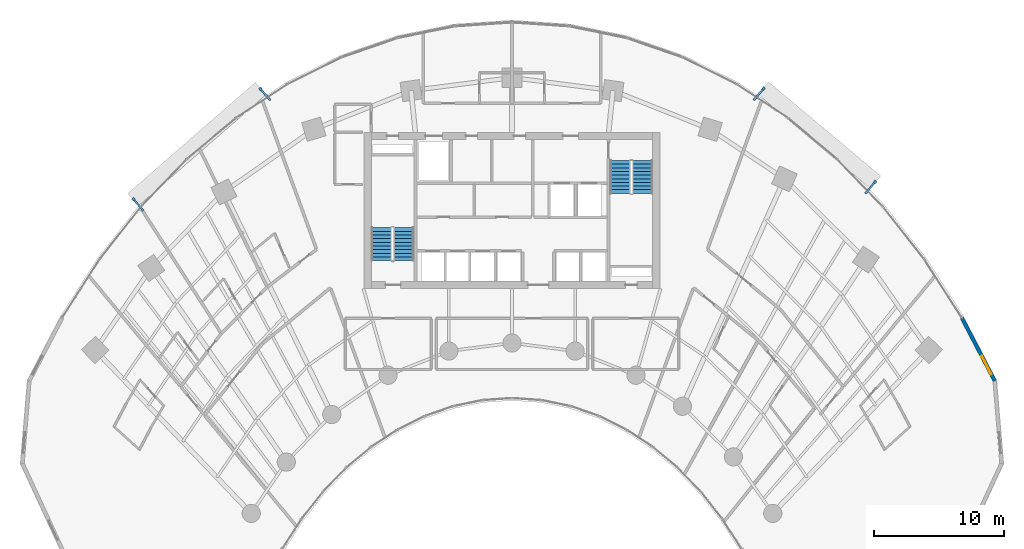
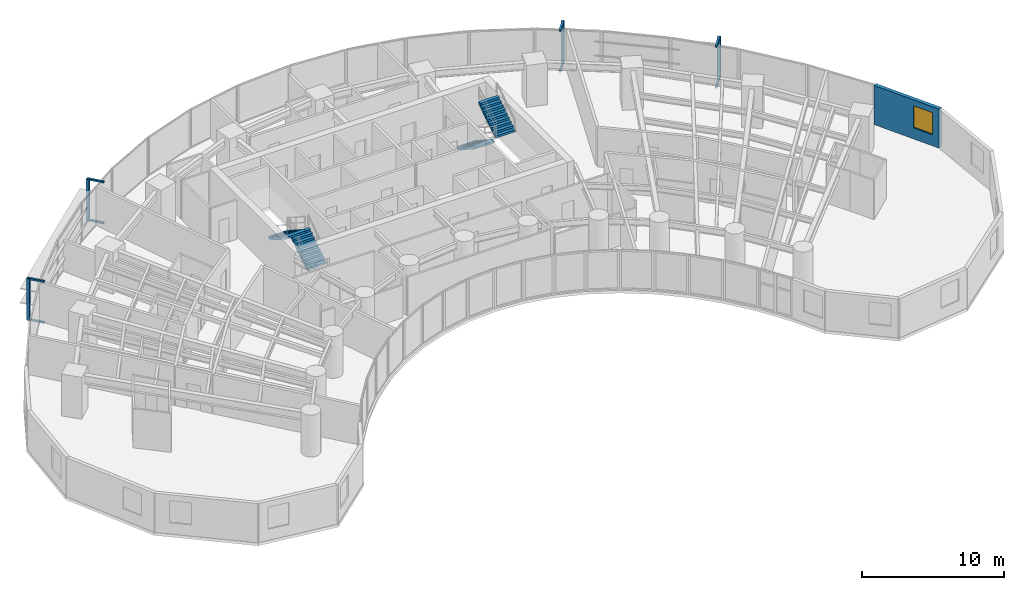
# One storey, part 15 of 17: 12 discrete accessories, 4 stair flights, 1 wall, 1 window, 1 opening, 2 elements without a shape of their own.
"""IFC4 building model written with IfcOpenShell, lengths in metres."""

from ifc_helpers import new_model, si_unit, direction, frame, frame_2d, origin, origin_2d, place, context, subcontext, project, spatial, polyline, rectangle, outline, extrude, source, transform, mapped, material, layer, layer_set, type_object, type_shapes, element, fill, aggregate, save


model = new_model("IFC4")

# Units and contexts
model_context = context("Model", 3, precision=1e-05, world=origin(), true_north=direction((0.0, 1.0)))
body_context = subcontext(model_context, "Body", "Model", "MODEL_VIEW")
ifc_project = project(units=[si_unit("LENGTHUNIT", "METRE"), si_unit("AREAUNIT", "SQUARE_METRE"), si_unit("VOLUMEUNIT", "CUBIC_METRE"), si_unit("PLANEANGLEUNIT", "RADIAN"), si_unit("MASSUNIT", "GRAM", prefix="KILO")], contexts=[model_context])

# Site, building, storey
site_placement = place(None, origin())
site = spatial("IfcSite", under=ifc_project, at=site_placement, CompositionType="ELEMENT")
building_placement = place(site_placement, origin())
building = spatial("IfcBuilding", under=site, at=building_placement, Name="Breltana Convention Tower", CompositionType="ELEMENT")
storey_placement = place(building_placement, frame((0.0, 0.0, 75.0)))
storey = spatial("IfcBuildingStorey", under=building, at=storey_placement, Name="L17", CompositionType="ELEMENT", Elevation=75.0)

# Wall, opening, window
ifc_material_1 = material(Name="Limestone Buff Insulated Wall", Category="masonry")
ifc_layer = layer(ifc_material_1, 0.280029296875, Name="Limestone Buff Insulated Wall")
ifc_layer_set = layer_set([ifc_layer], Name="Limestone Buff Insulated Wall")
wall_type = type_object("IfcWallType", Name="WL-EXT-NOSE-280", PredefinedType="SOLIDWALL", material=ifc_layer_set)
shared_shape_1 = source(origin(), body_context, "Body", "SweptSolid", [
    extrude(rectangle(XDim=5.45947265625, YDim=0.280029296875, at=frame_2d((2.729736328125, 0.0))), origin(), (0.0, 0.0, 1.0), 3.360107421875),
])
wall_placement = place(storey_placement, frame((82.531982421875, 57.964599609375, 0.0), z_axis=(0.0, 0.0, 1.0), x_axis=(0.461768054321, -0.887000712518, 0.0)))
wall = element("IfcWall", 1, at=wall_placement, inside=storey, type_object=wall_type, Name="L17 curved limestone nose wall E7", PredefinedType="SOLIDWALL", context=body_context, shape_type="MappedRepresentation", body=[
    mapped(shared_shape_1, transform((0.0, 0.0, 0.0), scale=1.0)),
])
opening_placement = place(wall_placement, frame((3.294677734375, 0.0, 0.949951171875)))
opening = element("IfcOpeningElement", 2, at=opening_placement, cuts=wall, Name="Opening W-04", PredefinedType="OPENING", context=body_context, shape_type="SweptSolid", body=[
    extrude(rectangle(XDim=1.60009765625, YDim=1.89990234375, at=frame_2d((0.800048828125, 0.949951171875))), frame((0.0, 0.14990234375, 0.0), z_axis=(0.0, -1.0, 0.0), x_axis=(1.0, 0.0, 0.0)), (0.0, 0.0, 1.0), 0.300048828125),
])
ifc_material_2 = material(Name="Glass Low-E Insulated Window", Category="glass")
window_type = type_object("IfcWindowType", Name="WN-NOSE-1600X1900", PartitioningType="SINGLE_PANEL", PredefinedType="WINDOW", material=ifc_material_2)
shared_shape_2 = source(origin(), body_context, "Body", "SweptSolid", [
    extrude(rectangle(XDim=1.60009765625, YDim=1.89990234375, at=frame_2d((0.800048828125, 0.949951171875))), frame((0.0, 0.030029296875, 0.0), z_axis=(0.0, -1.0, 0.0), x_axis=(1.0, 0.0, 0.0)), (0.0, 0.0, 1.0), 0.06005859375),
])
type_shapes(window_type, [shared_shape_2])
window_placement = place(opening_placement, origin())
window = element("IfcWindow", 3, at=window_placement, inside=storey, type_object=window_type, Name="L17 nose window E7", OverallHeight=1.89990234375, OverallWidth=1.60009765625, PartitioningType="SINGLE_PANEL", PredefinedType="WINDOW", context=body_context, shape_type="MappedRepresentation", body=[
    mapped(shared_shape_2, transform((0.0, 0.0, 0.0), scale=1.0)),
])
fill(opening, window)

# Stair, stair flights
ifc_material_3 = material(Name="Concrete C40/50", Category="concrete")
stair_type = type_object("IfcStairType", Name="ST-DOG-1560-R180", PredefinedType="HALF_TURN_STAIR", material=ifc_material_3)
stair_1_placement = place(storey_placement, origin())
stair_1 = element("IfcStair", 4, at=stair_1_placement, inside=storey, type_object=stair_type, Name="L17 Protected Core Exit Stair ST-1", PredefinedType="HALF_TURN_STAIR")
stair_flight_type = type_object("IfcStairFlightType", Name="STF-DOG-1560-N10-R180", PredefinedType="STRAIGHT", material=ifc_material_3)
stair_flight_1_placement = place(storey_placement, frame((39.68994140625, 62.360107421875, 0.0), z_axis=(0.0, 0.0, 1.0), x_axis=(0.0, 1.0, 0.0)))
stair_flight_1 = element("IfcStairFlight", 5, at=stair_flight_1_placement, type_object=stair_flight_type, Name="ST-1 flight 1", NumberOfRisers=10, NumberOfTreads=9, PredefinedType="STRAIGHT", RiserHeight=0.18, TreadLength=0.28, context=body_context, shape_type="SweptSolid", body=[
    extrude(outline(polyline([(0.0, 0.0), (0.0, 0.179931640625), (0.280029296875, 0.179931640625), (0.280029296875, 0.360107421875), (0.56005859375, 0.360107421875), (0.56005859375, 0.5400390625), (0.840087890625, 0.5400390625), (0.840087890625, 0.719970703125), (1.1201171875, 0.719970703125), (1.1201171875, 0.89990234375), (1.39990234375, 0.89990234375), (1.39990234375, 1.080078125), (1.679931640625, 1.080078125), (1.679931640625, 1.260009765625), (1.9599609375, 1.260009765625), (1.9599609375, 1.43994140625), (2.239990234375, 1.43994140625), (2.239990234375, 1.6201171875), (2.52001953125, 1.6201171875), (2.52001953125, 1.800048828125), (2.52001953125, 1.44189453125), (0.277099609375, 0.0), (0.0, 0.0)])), frame((0.0, 0.780029296875, 0.0), z_axis=(0.0, -1.0, 0.0), x_axis=(1.0, 0.0, 0.0)), (0.0, 0.0, 1.0), 1.56005859375),
])
stair_flight_2_placement = place(storey_placement, frame((37.97998046875, 64.8798828125, 1.800048828125), z_axis=(0.0, 0.0, 1.0), x_axis=(0.0, -1.0, 0.0)))
stair_flight_2 = element("IfcStairFlight", 6, at=stair_flight_2_placement, type_object=stair_flight_type, Name="ST-1 flight 2", NumberOfRisers=10, NumberOfTreads=9, PredefinedType="STRAIGHT", RiserHeight=0.18, TreadLength=0.28, context=body_context, shape_type="SweptSolid", body=[
    extrude(outline(polyline([(0.0, 0.0), (0.0, 0.179931640625), (0.280029296875, 0.179931640625), (0.280029296875, 0.360107421875), (0.56005859375, 0.360107421875), (0.56005859375, 0.5400390625), (0.840087890625, 0.5400390625), (0.840087890625, 0.719970703125), (1.1201171875, 0.719970703125), (1.1201171875, 0.89990234375), (1.39990234375, 0.89990234375), (1.39990234375, 1.080078125), (1.679931640625, 1.080078125), (1.679931640625, 1.260009765625), (1.9599609375, 1.260009765625), (1.9599609375, 1.43994140625), (2.239990234375, 1.43994140625), (2.239990234375, 1.6201171875), (2.52001953125, 1.6201171875), (2.52001953125, 1.800048828125), (2.52001953125, 1.44189453125), (0.277099609375, 0.0), (0.0, 0.0)])), frame((0.0, 0.780029296875, 0.0), z_axis=(0.0, -1.0, 0.0), x_axis=(1.0, 0.0, 0.0)), (0.0, 0.0, 1.0), 1.56005859375),
])
aggregate(stair_1, [stair_flight_1, stair_flight_2])

stair_2_placement = place(storey_placement, origin())
stair_2 = element("IfcStair", 7, at=stair_2_placement, inside=storey, type_object=stair_type, Name="L17 Protected Core Exit Stair ST-2", PredefinedType="HALF_TURN_STAIR")
stair_flight_3_placement = place(storey_placement, frame((56.31005859375, 70.0400390625, 0.0), z_axis=(0.0, 0.0, 1.0), x_axis=(0.0, -1.0, 0.0)))
stair_flight_3 = element("IfcStairFlight", 8, at=stair_flight_3_placement, type_object=stair_flight_type, Name="ST-2 flight 1", NumberOfRisers=10, NumberOfTreads=9, PredefinedType="STRAIGHT", RiserHeight=0.18, TreadLength=0.28, context=body_context, shape_type="SweptSolid", body=[
    extrude(outline(polyline([(0.0, 0.0), (0.0, 0.179931640625), (0.280029296875, 0.179931640625), (0.280029296875, 0.360107421875), (0.56005859375, 0.360107421875), (0.56005859375, 0.5400390625), (0.840087890625, 0.5400390625), (0.840087890625, 0.719970703125), (1.1201171875, 0.719970703125), (1.1201171875, 0.89990234375), (1.39990234375, 0.89990234375), (1.39990234375, 1.080078125), (1.679931640625, 1.080078125), (1.679931640625, 1.260009765625), (1.9599609375, 1.260009765625), (1.9599609375, 1.43994140625), (2.239990234375, 1.43994140625), (2.239990234375, 1.6201171875), (2.52001953125, 1.6201171875), (2.52001953125, 1.800048828125), (2.52001953125, 1.44189453125), (0.277099609375, 0.0), (0.0, 0.0)])), frame((0.0, 0.780029296875, 0.0), z_axis=(0.0, -1.0, 0.0), x_axis=(1.0, 0.0, 0.0)), (0.0, 0.0, 1.0), 1.56005859375),
])
stair_flight_4_placement = place(storey_placement, frame((58.02001953125, 67.52001953125, 1.800048828125), z_axis=(0.0, 0.0, 1.0), x_axis=(0.0, 1.0, 0.0)))
stair_flight_4 = element("IfcStairFlight", 9, at=stair_flight_4_placement, type_object=stair_flight_type, Name="ST-2 flight 2", NumberOfRisers=10, NumberOfTreads=9, PredefinedType="STRAIGHT", RiserHeight=0.18, TreadLength=0.28, context=body_context, shape_type="SweptSolid", body=[
    extrude(outline(polyline([(0.0, 0.0), (0.0, 0.179931640625), (0.280029296875, 0.179931640625), (0.280029296875, 0.360107421875), (0.56005859375, 0.360107421875), (0.56005859375, 0.5400390625), (0.840087890625, 0.5400390625), (0.840087890625, 0.719970703125), (1.1201171875, 0.719970703125), (1.1201171875, 0.89990234375), (1.39990234375, 0.89990234375), (1.39990234375, 1.080078125), (1.679931640625, 1.080078125), (1.679931640625, 1.260009765625), (1.9599609375, 1.260009765625), (1.9599609375, 1.43994140625), (2.239990234375, 1.43994140625), (2.239990234375, 1.6201171875), (2.52001953125, 1.6201171875), (2.52001953125, 1.800048828125), (2.52001953125, 1.44189453125), (0.277099609375, 0.0), (0.0, 0.0)])), frame((0.0, 0.780029296875, 0.0), z_axis=(0.0, -1.0, 0.0), x_axis=(1.0, 0.0, 0.0)), (0.0, 0.0, 1.0), 1.56005859375),
])
aggregate(stair_2, [stair_flight_3, stair_flight_4])

# Discrete accessories
ifc_material_4 = material(Name="Steel S355", Category="steel")
discrete_accessory_type_1 = type_object("IfcDiscreteAccessoryType", Name="ACC-DSF-BRACKET-150", PredefinedType="BRACKET", material=ifc_material_4)
shared_shape_3 = source(origin(), body_context, "Body", "SweptSolid", [
    extrude(rectangle(XDim=1.239990234375, YDim=0.14990234375, at=origin_2d()), origin(), (0.0, 0.0, 1.0), 0.139892578125),
])
type_shapes(discrete_accessory_type_1, [shared_shape_3])
for number, where, z_axis, x_axis, name in (
    (10, (19.310791015625, 66.643798828125, -0.16015625), (0.0, 0.0, 1.0), (-0.656456838663, 0.754363585397, 0.0), "L17 double-skin slab stand-off bracket 1.1B"),
    (11, (19.310791015625, 66.643798828125, 3.35986328125), (0.0, 0.0, 1.0), (-0.656456838663, 0.754363585397, 0.0), "L17 double-skin slab stand-off bracket 1.1T"),
    (12, (29.052978515625, 75.121337890625, -0.16015625), (0.0, 0.0, 1.0), (-0.656456838663, 0.754363585397, 0.0), "L17 double-skin slab stand-off bracket 1.2B"),
    (13, (29.052978515625, 75.121337890625, 3.35986328125), (0.0, 0.0, 1.0), (-0.656456838663, 0.754363585397, 0.0), "L17 double-skin slab stand-off bracket 1.2T"),
    (14, (66.954833984375, 75.1435546875, -0.16015625), (0.0, 0.0, 1.0), (0.641990162706, 0.76671287389, 0.0), "L17 double-skin slab stand-off bracket 2.1B"),
    (15, (66.954833984375, 75.1435546875, 3.35986328125), (0.0, 0.0, 1.0), (0.641990162706, 0.76671287389, 0.0), "L17 double-skin slab stand-off bracket 2.1T"),
    (16, (75.516357421875, 67.974853515625, -0.16015625), (0.0, 0.0, 1.0), (0.641990162706, 0.76671287389, 0.0), "L17 double-skin slab stand-off bracket 2.2B"),
    (17, (75.516357421875, 67.974853515625, 3.35986328125), (0.0, 0.0, 1.0), (0.641990162706, 0.76671287389, 0.0), "L17 double-skin slab stand-off bracket 2.2T"),
):
    element("IfcDiscreteAccessory", number, at=place(storey_placement, frame(where, z_axis=z_axis, x_axis=x_axis)), inside=storey, type_object=discrete_accessory_type_1, Name=name, PredefinedType="BRACKET", context=body_context, shape_type="MappedRepresentation", body=[
        mapped(shared_shape_3, transform((0.0, 0.0, 0.0), scale=1.0)),
    ])
discrete_accessory_type_2 = type_object("IfcDiscreteAccessoryType", Name="ACC-DSF-CARRIER-150", PredefinedType="BRACKET", material=ifc_material_4)
shared_shape_4 = source(origin(), body_context, "Body", "SweptSolid", [
    extrude(rectangle(XDim=0.219970703125, YDim=0.219970703125, at=origin_2d()), origin(), (0.0, 0.0, 1.0), 3.580078125),
])
for number, where, z_axis, x_axis, name in (
    (18, (18.943115234375, 67.066162109375, -0.1201171875), (0.0, 0.0, 1.0), (-0.656456838663, 0.754363585397, 0.0), "L17 double-skin outer vertical carrier 1.1"),
    (19, (28.685302734375, 75.5439453125, -0.1201171875), (0.0, 0.0, 1.0), (-0.656456838663, 0.754363585397, 0.0), "L17 double-skin outer vertical carrier 1.2"),
    (20, (67.314453125, 75.57275390625, -0.1201171875), (0.0, 0.0, 1.0), (0.641990162706, 0.76671287389, 0.0), "L17 double-skin outer vertical carrier 2.1"),
    (21, (75.875732421875, 68.404052734375, -0.1201171875), (0.0, 0.0, 1.0), (0.641990162706, 0.76671287389, 0.0), "L17 double-skin outer vertical carrier 2.2"),
):
    element("IfcDiscreteAccessory", number, at=place(storey_placement, frame(where, z_axis=z_axis, x_axis=x_axis)), inside=storey, type_object=discrete_accessory_type_2, Name=name, PredefinedType="BRACKET", context=body_context, shape_type="MappedRepresentation", body=[
        mapped(shared_shape_4, transform((0.0, 0.0, 0.0), scale=1.0)),
    ])

save(model, "model.ifc")
